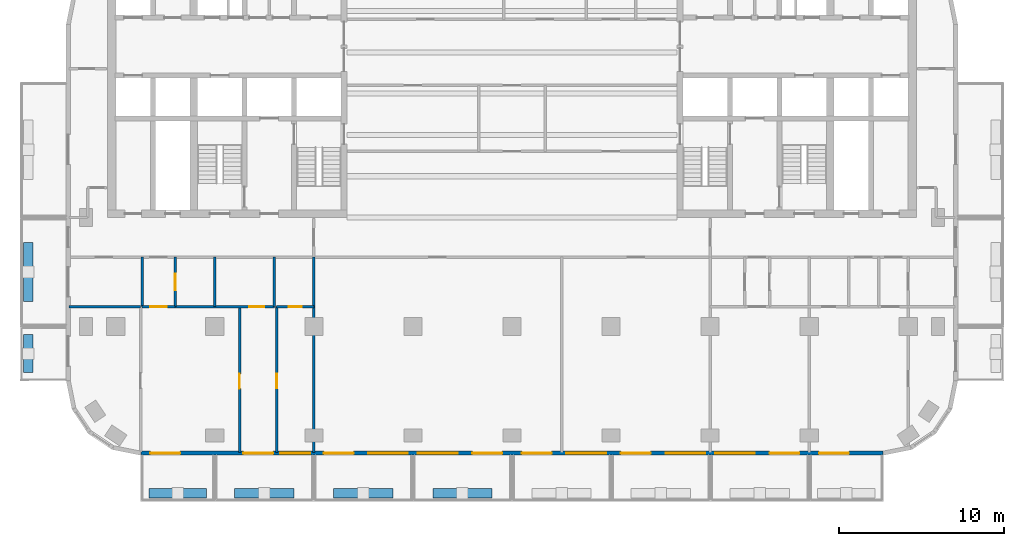
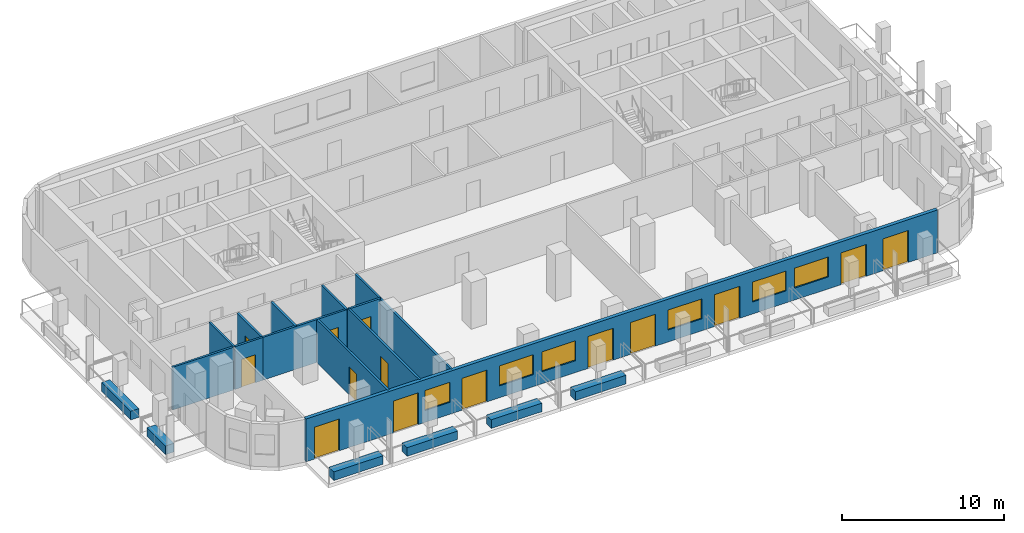
# One storey, part 2 of 11: 18 walls, 14 doors, 6 windows, 20 openings.
"""IFC4 building model written with IfcOpenShell, lengths in metres."""

from ifc_helpers import new_model, si_unit, direction, frame, frame_2d, origin, place, context, subcontext, project, spatial, rectangle, extrude, material, layer, layer_set, type_object, element, fill, save


model = new_model("IFC4")

# Units and contexts
model_context = context("Model", 3, precision=1e-05, world=origin(), true_north=direction((0.0, 1.0)))
body_context = subcontext(model_context, "Body", "Model", "MODEL_VIEW")
ifc_project = project(units=[si_unit("LENGTHUNIT", "METRE"), si_unit("AREAUNIT", "SQUARE_METRE"), si_unit("VOLUMEUNIT", "CUBIC_METRE"), si_unit("PLANEANGLEUNIT", "RADIAN"), si_unit("MASSUNIT", "GRAM", prefix="KILO")], contexts=[model_context])

# Site, building, storey
site_placement = place(None, origin())
site = spatial("IfcSite", under=ifc_project, at=site_placement, CompositionType="ELEMENT")
building_placement = place(site_placement, origin())
building = spatial("IfcBuilding", under=site, at=building_placement, Name="Torana Hotel and Residences", CompositionType="ELEMENT")
storey_placement = place(building_placement, frame((0.0, 0.0, 211.60009765625)))
storey = spatial("IfcBuildingStorey", under=building, at=storey_placement, Name="L55", CompositionType="ELEMENT", Elevation=211.60009765625)

# Wall, openings, doors, windows
ifc_material_1 = material(Name="Black aluminium composite panel", Category="aluminium")
ifc_layer_1 = layer(ifc_material_1, 0.00390625, Name="Cladding", Category="cladding")
ifc_material_2 = material(Name="Ventilated air cavity")
ifc_layer_2 = layer(ifc_material_2, 0.0400390625, Name="Ventilated cavity", Category="cavity")
ifc_material_3 = material(Name="Mineral wool insulation")
ifc_layer_3 = layer(ifc_material_3, 0.090087890625, Name="Insulation", Category="insulation")
ifc_material_4 = material(Name="Steel S280GD", Category="steel")
ifc_layer_4 = layer(ifc_material_4, 0.092041015625, Name="Steel stud frame", Category="structure")
ifc_material_5 = material(Name="Fire rated plasterboard")
ifc_layer_5 = layer(ifc_material_5, 0.011962890625, Name="Inner board", Category="finish")
ifc_layer_6 = layer(ifc_material_5, 0.011962890625, Name="Second board", Category="finish")
ifc_layer_set_1 = layer_set([ifc_layer_1, ifc_layer_2, ifc_layer_3, ifc_layer_4, ifc_layer_5, ifc_layer_6], Name="EW1 EXTERNAL WALL BLACK METAL CLAD 250")
wall_type_1 = type_object("IfcWallType", Name="EW1 EXTERNAL WALL BLACK METAL CLAD 250", PredefinedType="SOLIDWALL", material=ifc_layer_set_1)
wall_1_placement = place(storey_placement, frame((-22.475341796875, -29.27490234375, 0.0), z_axis=(0.0, 0.0, 1.0), x_axis=(1.0, 0.0, 0.0)))
wall_1 = element("IfcWall", 1, at=wall_1_placement, inside=storey, type_object=wall_type_1, Name="External wall L55 e0.14", PredefinedType="SOLIDWALL", context=body_context, shape_type="SweptSolid", body=[
    extrude(rectangle(XDim=44.95068359375, YDim=0.25, at=frame_2d((22.475341796875, 0.0))), origin(), (0.0, 0.0, 1.0), 3.219970703125),
])
opening_1_placement = place(wall_1_placement, frame((0.575439453125, 0.0, 0.0)))
opening_1 = element("IfcOpeningElement", 2, at=opening_1_placement, cuts=wall_1, Name="Opening L55-E01", PredefinedType="OPENING", context=body_context, shape_type="SweptSolid", body=[
    extrude(rectangle(XDim=1.800048828125, YDim=2.39990234375, at=frame_2d((0.89990234375, 1.199951171875))), frame((0.0, 0.135009765625, 0.0), z_axis=(0.0, -1.0, 0.0), x_axis=(1.0, 0.0, 0.0)), (0.0, 0.0, 1.0), 0.27001953125),
])
opening_2_placement = place(wall_1_placement, frame((6.200439453125, 0.0, 0.0)))
opening_2 = element("IfcOpeningElement", 3, at=opening_2_placement, cuts=wall_1, Name="Opening L55-E02", PredefinedType="OPENING", context=body_context, shape_type="SweptSolid", body=[
    extrude(rectangle(XDim=1.800048828125, YDim=2.39990234375, at=frame_2d((0.89990234375, 1.199951171875))), frame((0.0, 0.135009765625, 0.0), z_axis=(0.0, -1.0, 0.0), x_axis=(1.0, 0.0, 0.0)), (0.0, 0.0, 1.0), 0.27001953125),
])
opening_3_placement = place(wall_1_placement, frame((8.450439453125, 0.0, 0.89990234375)))
opening_3 = element("IfcOpeningElement", 4, at=opening_3_placement, cuts=wall_1, Name="Opening W4", PredefinedType="OPENING", context=body_context, shape_type="SweptSolid", body=[
    extrude(rectangle(XDim=1.800048828125, YDim=1.5, at=frame_2d((0.89990234375, 0.75))), frame((0.0, 0.135009765625, 0.0), z_axis=(0.0, -1.0, 0.0), x_axis=(1.0, 0.0, 0.0)), (0.0, 0.0, 1.0), 0.27001953125),
])
opening_4_placement = place(wall_1_placement, frame((11.075439453125, 0.0, 0.0)))
opening_4 = element("IfcOpeningElement", 5, at=opening_4_placement, cuts=wall_1, Name="Opening L55-E03", PredefinedType="OPENING", context=body_context, shape_type="SweptSolid", body=[
    extrude(rectangle(XDim=1.800048828125, YDim=2.39990234375, at=frame_2d((0.89990234375, 1.199951171875))), frame((0.0, 0.135009765625, 0.0), z_axis=(0.0, -1.0, 0.0), x_axis=(1.0, 0.0, 0.0)), (0.0, 0.0, 1.0), 0.27001953125),
])
opening_5_placement = place(wall_1_placement, frame((13.775390625, 0.0, 0.89990234375)))
opening_5 = element("IfcOpeningElement", 6, at=opening_5_placement, cuts=wall_1, Name="Opening W3", PredefinedType="OPENING", context=body_context, shape_type="SweptSolid", body=[
    extrude(rectangle(XDim=2.39990234375, YDim=1.5, at=frame_2d((1.199951171875, 0.75))), frame((0.0, 0.135009765625, 0.0), z_axis=(0.0, -1.0, 0.0), x_axis=(1.0, 0.0, 0.0)), (0.0, 0.0, 1.0), 0.27001953125),
])
opening_6_placement = place(wall_1_placement, frame((16.775390625, 0.0, 0.89990234375)))
opening_6 = element("IfcOpeningElement", 7, at=opening_6_placement, cuts=wall_1, Name="Opening W3", PredefinedType="OPENING", context=body_context, shape_type="SweptSolid", body=[
    extrude(rectangle(XDim=2.39990234375, YDim=1.5, at=frame_2d((1.199951171875, 0.75))), frame((0.0, 0.135009765625, 0.0), z_axis=(0.0, -1.0, 0.0), x_axis=(1.0, 0.0, 0.0)), (0.0, 0.0, 1.0), 0.27001953125),
])
opening_7_placement = place(wall_1_placement, frame((20.075439453125, 0.0, 0.0)))
opening_7 = element("IfcOpeningElement", 8, at=opening_7_placement, cuts=wall_1, Name="Opening L55-E04", PredefinedType="OPENING", context=body_context, shape_type="SweptSolid", body=[
    extrude(rectangle(XDim=1.800048828125, YDim=2.39990234375, at=frame_2d((0.89990234375, 1.199951171875))), frame((0.0, 0.135009765625, 0.0), z_axis=(0.0, -1.0, 0.0), x_axis=(1.0, 0.0, 0.0)), (0.0, 0.0, 1.0), 0.27001953125),
])
opening_8_placement = place(wall_1_placement, frame((23.075439453125, 0.0, 0.0)))
opening_8 = element("IfcOpeningElement", 9, at=opening_8_placement, cuts=wall_1, Name="Opening L55-E05", PredefinedType="OPENING", context=body_context, shape_type="SweptSolid", body=[
    extrude(rectangle(XDim=1.800048828125, YDim=2.39990234375, at=frame_2d((0.89990234375, 1.199951171875))), frame((0.0, 0.135009765625, 0.0), z_axis=(0.0, -1.0, 0.0), x_axis=(1.0, 0.0, 0.0)), (0.0, 0.0, 1.0), 0.27001953125),
])
opening_9_placement = place(wall_1_placement, frame((25.775390625, 0.0, 0.89990234375)))
opening_9 = element("IfcOpeningElement", 10, at=opening_9_placement, cuts=wall_1, Name="Opening W3", PredefinedType="OPENING", context=body_context, shape_type="SweptSolid", body=[
    extrude(rectangle(XDim=2.39990234375, YDim=1.5, at=frame_2d((1.199951171875, 0.75))), frame((0.0, 0.135009765625, 0.0), z_axis=(0.0, -1.0, 0.0), x_axis=(1.0, 0.0, 0.0)), (0.0, 0.0, 1.0), 0.27001953125),
])
opening_10_placement = place(wall_1_placement, frame((29.075439453125, 0.0, 0.0)))
opening_10 = element("IfcOpeningElement", 11, at=opening_10_placement, cuts=wall_1, Name="Opening L55-E06", PredefinedType="OPENING", context=body_context, shape_type="SweptSolid", body=[
    extrude(rectangle(XDim=1.800048828125, YDim=2.39990234375, at=frame_2d((0.89990234375, 1.199951171875))), frame((0.0, 0.135009765625, 0.0), z_axis=(0.0, -1.0, 0.0), x_axis=(1.0, 0.0, 0.0)), (0.0, 0.0, 1.0), 0.27001953125),
])
opening_11_placement = place(wall_1_placement, frame((31.775390625, 0.0, 0.89990234375)))
opening_11 = element("IfcOpeningElement", 12, at=opening_11_placement, cuts=wall_1, Name="Opening W3", PredefinedType="OPENING", context=body_context, shape_type="SweptSolid", body=[
    extrude(rectangle(XDim=2.39990234375, YDim=1.5, at=frame_2d((1.199951171875, 0.75))), frame((0.0, 0.135009765625, 0.0), z_axis=(0.0, -1.0, 0.0), x_axis=(1.0, 0.0, 0.0)), (0.0, 0.0, 1.0), 0.27001953125),
])
opening_12_placement = place(wall_1_placement, frame((34.775390625, 0.0, 0.89990234375)))
opening_12 = element("IfcOpeningElement", 13, at=opening_12_placement, cuts=wall_1, Name="Opening W3", PredefinedType="OPENING", context=body_context, shape_type="SweptSolid", body=[
    extrude(rectangle(XDim=2.39990234375, YDim=1.5, at=frame_2d((1.199951171875, 0.75))), frame((0.0, 0.135009765625, 0.0), z_axis=(0.0, -1.0, 0.0), x_axis=(1.0, 0.0, 0.0)), (0.0, 0.0, 1.0), 0.27001953125),
])
opening_13_placement = place(wall_1_placement, frame((38.075439453125, 0.0, 0.0)))
opening_13 = element("IfcOpeningElement", 14, at=opening_13_placement, cuts=wall_1, Name="Opening L55-E07", PredefinedType="OPENING", context=body_context, shape_type="SweptSolid", body=[
    extrude(rectangle(XDim=1.800048828125, YDim=2.39990234375, at=frame_2d((0.89990234375, 1.199951171875))), frame((0.0, 0.135009765625, 0.0), z_axis=(0.0, -1.0, 0.0), x_axis=(1.0, 0.0, 0.0)), (0.0, 0.0, 1.0), 0.27001953125),
])
opening_14_placement = place(wall_1_placement, frame((41.075439453125, 0.0, 0.0)))
opening_14 = element("IfcOpeningElement", 15, at=opening_14_placement, cuts=wall_1, Name="Opening L55-E08", PredefinedType="OPENING", context=body_context, shape_type="SweptSolid", body=[
    extrude(rectangle(XDim=1.800048828125, YDim=2.39990234375, at=frame_2d((0.89990234375, 1.199951171875))), frame((0.0, 0.135009765625, 0.0), z_axis=(0.0, -1.0, 0.0), x_axis=(1.0, 0.0, 0.0)), (0.0, 0.0, 1.0), 0.27001953125),
])
ifc_material_6 = material(Name="Dark glass in black aluminium frame", Category="aluminium")
door_type_1 = type_object("IfcDoorType", Name="DB1 BALCONY DOOR 1800x2400", OperationType="DOUBLE_DOOR_SINGLE_SWING", PredefinedType="DOOR", material=ifc_material_6)
door_1_placement = place(opening_1_placement, origin())
door_1 = element("IfcDoor", 16, at=door_1_placement, inside=storey, type_object=door_type_1, Name="Balcony door L55", OperationType="DOUBLE_DOOR_SINGLE_SWING", OverallHeight=2.39990234375, OverallWidth=1.800048828125, PredefinedType="DOOR", context=body_context, shape_type="SweptSolid", body=[
    extrude(rectangle(XDim=1.800048828125, YDim=2.39990234375, at=frame_2d((0.89990234375, 1.199951171875))), frame((0.0, 0.02490234375, 0.0), z_axis=(0.0, -1.0, 0.0), x_axis=(1.0, 0.0, 0.0)), (0.0, 0.0, 1.0), 0.050048828125),
])
fill(opening_1, door_1)
door_2_placement = place(opening_2_placement, origin())
door_2 = element("IfcDoor", 17, at=door_2_placement, inside=storey, type_object=door_type_1, Name="Balcony door L55", OperationType="DOUBLE_DOOR_SINGLE_SWING", OverallHeight=2.39990234375, OverallWidth=1.800048828125, PredefinedType="DOOR", context=body_context, shape_type="SweptSolid", body=[
    extrude(rectangle(XDim=1.800048828125, YDim=2.39990234375, at=frame_2d((0.89990234375, 1.199951171875))), frame((0.0, 0.02490234375, 0.0), z_axis=(0.0, -1.0, 0.0), x_axis=(1.0, 0.0, 0.0)), (0.0, 0.0, 1.0), 0.050048828125),
])
fill(opening_2, door_2)
door_3_placement = place(opening_4_placement, origin())
door_3 = element("IfcDoor", 18, at=door_3_placement, inside=storey, type_object=door_type_1, Name="Balcony door L55", OperationType="DOUBLE_DOOR_SINGLE_SWING", OverallHeight=2.39990234375, OverallWidth=1.800048828125, PredefinedType="DOOR", context=body_context, shape_type="SweptSolid", body=[
    extrude(rectangle(XDim=1.800048828125, YDim=2.39990234375, at=frame_2d((0.89990234375, 1.199951171875))), frame((0.0, 0.02490234375, 0.0), z_axis=(0.0, -1.0, 0.0), x_axis=(1.0, 0.0, 0.0)), (0.0, 0.0, 1.0), 0.050048828125),
])
fill(opening_4, door_3)
door_4_placement = place(opening_7_placement, origin())
door_4 = element("IfcDoor", 19, at=door_4_placement, inside=storey, type_object=door_type_1, Name="Balcony door L55", OperationType="DOUBLE_DOOR_SINGLE_SWING", OverallHeight=2.39990234375, OverallWidth=1.800048828125, PredefinedType="DOOR", context=body_context, shape_type="SweptSolid", body=[
    extrude(rectangle(XDim=1.800048828125, YDim=2.39990234375, at=frame_2d((0.89990234375, 1.199951171875))), frame((0.0, 0.02490234375, 0.0), z_axis=(0.0, -1.0, 0.0), x_axis=(1.0, 0.0, 0.0)), (0.0, 0.0, 1.0), 0.050048828125),
])
fill(opening_7, door_4)
door_5_placement = place(opening_8_placement, origin())
door_5 = element("IfcDoor", 20, at=door_5_placement, inside=storey, type_object=door_type_1, Name="Balcony door L55", OperationType="DOUBLE_DOOR_SINGLE_SWING", OverallHeight=2.39990234375, OverallWidth=1.800048828125, PredefinedType="DOOR", context=body_context, shape_type="SweptSolid", body=[
    extrude(rectangle(XDim=1.800048828125, YDim=2.39990234375, at=frame_2d((0.89990234375, 1.199951171875))), frame((0.0, 0.02490234375, 0.0), z_axis=(0.0, -1.0, 0.0), x_axis=(1.0, 0.0, 0.0)), (0.0, 0.0, 1.0), 0.050048828125),
])
fill(opening_8, door_5)
door_6_placement = place(opening_10_placement, origin())
door_6 = element("IfcDoor", 21, at=door_6_placement, inside=storey, type_object=door_type_1, Name="Balcony door L55", OperationType="DOUBLE_DOOR_SINGLE_SWING", OverallHeight=2.39990234375, OverallWidth=1.800048828125, PredefinedType="DOOR", context=body_context, shape_type="SweptSolid", body=[
    extrude(rectangle(XDim=1.800048828125, YDim=2.39990234375, at=frame_2d((0.89990234375, 1.199951171875))), frame((0.0, 0.02490234375, 0.0), z_axis=(0.0, -1.0, 0.0), x_axis=(1.0, 0.0, 0.0)), (0.0, 0.0, 1.0), 0.050048828125),
])
fill(opening_10, door_6)
door_7_placement = place(opening_13_placement, origin())
door_7 = element("IfcDoor", 22, at=door_7_placement, inside=storey, type_object=door_type_1, Name="Balcony door L55", OperationType="DOUBLE_DOOR_SINGLE_SWING", OverallHeight=2.39990234375, OverallWidth=1.800048828125, PredefinedType="DOOR", context=body_context, shape_type="SweptSolid", body=[
    extrude(rectangle(XDim=1.800048828125, YDim=2.39990234375, at=frame_2d((0.89990234375, 1.199951171875))), frame((0.0, 0.02490234375, 0.0), z_axis=(0.0, -1.0, 0.0), x_axis=(1.0, 0.0, 0.0)), (0.0, 0.0, 1.0), 0.050048828125),
])
fill(opening_13, door_7)
door_8_placement = place(opening_14_placement, origin())
door_8 = element("IfcDoor", 23, at=door_8_placement, inside=storey, type_object=door_type_1, Name="Balcony door L55", OperationType="DOUBLE_DOOR_SINGLE_SWING", OverallHeight=2.39990234375, OverallWidth=1.800048828125, PredefinedType="DOOR", context=body_context, shape_type="SweptSolid", body=[
    extrude(rectangle(XDim=1.800048828125, YDim=2.39990234375, at=frame_2d((0.89990234375, 1.199951171875))), frame((0.0, 0.02490234375, 0.0), z_axis=(0.0, -1.0, 0.0), x_axis=(1.0, 0.0, 0.0)), (0.0, 0.0, 1.0), 0.050048828125),
])
fill(opening_14, door_8)
ifc_material_7 = material(Name="Dark glass in black aluminium frame", Category="aluminium")
window_type_1 = type_object("IfcWindowType", Name="W3 RESIDENCE WINDOW 2400x1500", PartitioningType="SINGLE_PANEL", PredefinedType="WINDOW", material=ifc_material_7)
window_1_placement = place(opening_5_placement, origin())
window_1 = element("IfcWindow", 24, at=window_1_placement, inside=storey, type_object=window_type_1, Name="Window L55", OverallHeight=1.5, OverallWidth=2.39990234375, PartitioningType="SINGLE_PANEL", PredefinedType="WINDOW", context=body_context, shape_type="SweptSolid", body=[
    extrude(rectangle(XDim=2.39990234375, YDim=1.5, at=frame_2d((1.199951171875, 0.75))), frame((0.0, 0.030029296875, 0.0), z_axis=(0.0, -1.0, 0.0), x_axis=(1.0, 0.0, 0.0)), (0.0, 0.0, 1.0), 0.06005859375),
])
fill(opening_5, window_1)
window_2_placement = place(opening_6_placement, origin())
window_2 = element("IfcWindow", 25, at=window_2_placement, inside=storey, type_object=window_type_1, Name="Window L55", OverallHeight=1.5, OverallWidth=2.39990234375, PartitioningType="SINGLE_PANEL", PredefinedType="WINDOW", context=body_context, shape_type="SweptSolid", body=[
    extrude(rectangle(XDim=2.39990234375, YDim=1.5, at=frame_2d((1.199951171875, 0.75))), frame((0.0, 0.030029296875, 0.0), z_axis=(0.0, -1.0, 0.0), x_axis=(1.0, 0.0, 0.0)), (0.0, 0.0, 1.0), 0.06005859375),
])
fill(opening_6, window_2)
window_3_placement = place(opening_9_placement, origin())
window_3 = element("IfcWindow", 26, at=window_3_placement, inside=storey, type_object=window_type_1, Name="Window L55", OverallHeight=1.5, OverallWidth=2.39990234375, PartitioningType="SINGLE_PANEL", PredefinedType="WINDOW", context=body_context, shape_type="SweptSolid", body=[
    extrude(rectangle(XDim=2.39990234375, YDim=1.5, at=frame_2d((1.199951171875, 0.75))), frame((0.0, 0.030029296875, 0.0), z_axis=(0.0, -1.0, 0.0), x_axis=(1.0, 0.0, 0.0)), (0.0, 0.0, 1.0), 0.06005859375),
])
fill(opening_9, window_3)
window_4_placement = place(opening_11_placement, origin())
window_4 = element("IfcWindow", 27, at=window_4_placement, inside=storey, type_object=window_type_1, Name="Window L55", OverallHeight=1.5, OverallWidth=2.39990234375, PartitioningType="SINGLE_PANEL", PredefinedType="WINDOW", context=body_context, shape_type="SweptSolid", body=[
    extrude(rectangle(XDim=2.39990234375, YDim=1.5, at=frame_2d((1.199951171875, 0.75))), frame((0.0, 0.030029296875, 0.0), z_axis=(0.0, -1.0, 0.0), x_axis=(1.0, 0.0, 0.0)), (0.0, 0.0, 1.0), 0.06005859375),
])
fill(opening_11, window_4)
window_5_placement = place(opening_12_placement, origin())
window_5 = element("IfcWindow", 28, at=window_5_placement, inside=storey, type_object=window_type_1, Name="Window L55", OverallHeight=1.5, OverallWidth=2.39990234375, PartitioningType="SINGLE_PANEL", PredefinedType="WINDOW", context=body_context, shape_type="SweptSolid", body=[
    extrude(rectangle(XDim=2.39990234375, YDim=1.5, at=frame_2d((1.199951171875, 0.75))), frame((0.0, 0.030029296875, 0.0), z_axis=(0.0, -1.0, 0.0), x_axis=(1.0, 0.0, 0.0)), (0.0, 0.0, 1.0), 0.06005859375),
])
fill(opening_12, window_5)
ifc_material_8 = material(Name="Dark glass in black aluminium frame", Category="aluminium")
window_type_2 = type_object("IfcWindowType", Name="W4 RESIDENCE WINDOW NARROW 1800x1500", PartitioningType="SINGLE_PANEL", PredefinedType="WINDOW", material=ifc_material_8)
window_6_placement = place(opening_3_placement, origin())
window_6 = element("IfcWindow", 29, at=window_6_placement, inside=storey, type_object=window_type_2, Name="Window L55", OverallHeight=1.5, OverallWidth=1.800048828125, PartitioningType="SINGLE_PANEL", PredefinedType="WINDOW", context=body_context, shape_type="SweptSolid", body=[
    extrude(rectangle(XDim=1.800048828125, YDim=1.5, at=frame_2d((0.89990234375, 0.75))), frame((0.0, 0.030029296875, 0.0), z_axis=(0.0, -1.0, 0.0), x_axis=(1.0, 0.0, 0.0)), (0.0, 0.0, 1.0), 0.06005859375),
])
fill(opening_3, window_6)

# Wall, opening, door
ifc_material_9 = material(Name="Gypsum plaster")
ifc_layer_7 = layer(ifc_material_9, 0.014892578125, Name="Plaster", Category="finish")
ifc_material_10 = material(Name="Concrete blockwork", Category="masonry")
ifc_layer_8 = layer(ifc_material_10, 0.1201171875, Name="Blockwork", Category="structure")
ifc_layer_9 = layer(ifc_material_9, 0.014892578125, Name="Plaster", Category="finish")
ifc_layer_set_2 = layer_set([ifc_layer_7, ifc_layer_8, ifc_layer_9], Name="FIRE PARTITION 150 BLOCKWORK")
wall_type_2 = type_object("IfcWallType", Name="FIRE PARTITION 150 BLOCKWORK", PredefinedType="PARTITIONING", material=ifc_layer_set_2)
wall_2_placement = place(storey_placement, frame((-20.39990234375, -20.39990234375, 0.0), z_axis=(0.0, 0.0, 1.0), x_axis=(0.0, 1.0, 0.0)))
wall_2 = element("IfcWall", 30, at=wall_2_placement, inside=storey, type_object=wall_type_2, Name="Partition L55", PredefinedType="PARTITIONING", context=body_context, shape_type="SweptSolid", body=[
    extrude(rectangle(XDim=3.0, YDim=0.14990234375, at=frame_2d((1.5, 0.0))), origin(), (0.0, 0.0, 1.0), 3.219970703125),
])
opening_15_placement = place(wall_2_placement, frame((1.0, 0.0, 0.0)))
opening_15 = element("IfcOpeningElement", 31, at=opening_15_placement, cuts=wall_2, Name="Opening L55-55", PredefinedType="OPENING", context=body_context, shape_type="SweptSolid", body=[
    extrude(rectangle(XDim=1.0, YDim=2.10009765625, at=frame_2d((0.5, 1.050048828125))), frame((0.0, 0.0849609375, 0.0), z_axis=(0.0, -1.0, 0.0), x_axis=(1.0, 0.0, 0.0)), (0.0, 0.0, 1.0), 0.169921875),
])
ifc_material_11 = material(Name="Steel S235", Category="steel")
door_type_2 = type_object("IfcDoorType", Name="ENTRY FIRE DOOR D6 1000x2100", OperationType="SINGLE_SWING_LEFT", PredefinedType="DOOR", material=ifc_material_11)
door_9_placement = place(opening_15_placement, frame((0.5, 0.0, 0.0), z_axis=(0.0, 0.0, 1.0), x_axis=(-1.0, 0.0, 0.0)))
door_9 = element("IfcDoor", 32, at=door_9_placement, inside=storey, type_object=door_type_2, Name="Door L55", OperationType="SINGLE_SWING_LEFT", OverallHeight=2.10009765625, OverallWidth=1.0, PredefinedType="DOOR", context=body_context, shape_type="SweptSolid", body=[
    extrude(rectangle(XDim=1.0, YDim=2.10009765625, at=frame_2d((0.0, 1.050048828125))), frame((0.0, -0.02490234375, 0.0), z_axis=(0.0, 1.0, 0.0), x_axis=(-1.0, 0.0, 0.0)), (0.0, 0.0, 1.0), 0.050048828125),
])
fill(opening_15, door_9)

# Wall
wall_3_placement = place(storey_placement, frame((-22.39990234375, -20.39990234375, 0.0), z_axis=(0.0, 0.0, 1.0), x_axis=(0.0, 1.0, 0.0)))
element("IfcWall", 33, at=wall_3_placement, inside=storey, type_object=wall_type_2, Name="Partition L55", PredefinedType="PARTITIONING", context=body_context, shape_type="SweptSolid", body=[
    extrude(rectangle(XDim=3.0, YDim=0.14990234375, at=frame_2d((1.5, 0.0))), origin(), (0.0, 0.0, 1.0), 3.219970703125),
])

# Wall, opening, door
wall_4_placement = place(storey_placement, frame((-22.39990234375, -20.39990234375, 0.0), z_axis=(0.0, 0.0, 1.0), x_axis=(1.0, 0.0, 0.0)))
wall_4 = element("IfcWall", 34, at=wall_4_placement, inside=storey, type_object=wall_type_2, Name="Partition L55", PredefinedType="PARTITIONING", context=body_context, shape_type="SweptSolid", body=[
    extrude(rectangle(XDim=2.0, YDim=0.14990234375, at=frame_2d((1.0, 0.0))), origin(), (0.0, 0.0, 1.0), 3.219970703125),
])
opening_16_placement = place(wall_4_placement, frame((0.47998046875, 0.0, 0.0)))
opening_16 = element("IfcOpeningElement", 35, at=opening_16_placement, cuts=wall_4, Name="Opening L55-56", PredefinedType="OPENING", context=body_context, shape_type="SweptSolid", body=[
    extrude(rectangle(XDim=1.0, YDim=2.10009765625, at=frame_2d((0.5, 1.050048828125))), frame((0.0, 0.0849609375, 0.0), z_axis=(0.0, -1.0, 0.0), x_axis=(1.0, 0.0, 0.0)), (0.0, 0.0, 1.0), 0.169921875),
])
door_10_placement = place(opening_16_placement, frame((0.5, 0.0, 0.0), z_axis=(0.0, 0.0, 1.0), x_axis=(-1.0, 0.0, 0.0)))
door_10 = element("IfcDoor", 36, at=door_10_placement, inside=storey, type_object=door_type_2, Name="Door L55", OperationType="SINGLE_SWING_LEFT", OverallHeight=2.10009765625, OverallWidth=1.0, PredefinedType="DOOR", context=body_context, shape_type="SweptSolid", body=[
    extrude(rectangle(XDim=1.0, YDim=2.10009765625, at=frame_2d((0.0, 1.050048828125))), frame((0.0, -0.02490234375, 0.0), z_axis=(0.0, 1.0, 0.0), x_axis=(-1.0, 0.0, 0.0)), (0.0, 0.0, 1.0), 0.050048828125),
])
fill(opening_16, door_10)

# Wall
ifc_material_12 = material(Name="Gypsum plasterboard")
ifc_layer_10 = layer(ifc_material_12, 0.012451171875, Name="Plasterboard", Category="finish")
ifc_layer_11 = layer(ifc_material_12, 0.012451171875, Name="Plasterboard", Category="finish")
ifc_layer_12 = layer(ifc_material_4, 0.10009765625, Name="Steel studs with mineral wool", Category="insulation")
ifc_layer_13 = layer(ifc_material_12, 0.012451171875, Name="Plasterboard", Category="finish")
ifc_layer_14 = layer(ifc_material_12, 0.012451171875, Name="Plasterboard", Category="finish")
ifc_layer_set_3 = layer_set([ifc_layer_10, ifc_layer_11, ifc_layer_12, ifc_layer_13, ifc_layer_14], Name="PARTITION 150 PLASTERBOARD")
wall_type_3 = type_object("IfcWallType", Name="PARTITION 150 PLASTERBOARD", PredefinedType="PARTITIONING", material=ifc_layer_set_3)
wall_5_placement = place(storey_placement, frame((-12.0, -29.219970703125, 0.0), z_axis=(0.0, 0.0, 1.0), x_axis=(0.0, 1.0, 0.0)))
element("IfcWall", 37, at=wall_5_placement, inside=storey, type_object=wall_type_3, Name="Partition L55", PredefinedType="PARTITIONING", context=body_context, shape_type="SweptSolid", body=[
    extrude(rectangle(XDim=11.820068359375, YDim=0.14990234375, at=frame_2d((5.91015625, 0.0))), origin(), (0.0, 0.0, 1.0), 3.219970703125),
])

# Wall, opening, door
wall_6_placement = place(storey_placement, frame((-14.25, -29.219970703125, 0.0), z_axis=(0.0, 0.0, 1.0), x_axis=(0.0, 1.0, 0.0)))
wall_6 = element("IfcWall", 38, at=wall_6_placement, inside=storey, type_object=wall_type_3, Name="Partition L55", PredefinedType="PARTITIONING", context=body_context, shape_type="SweptSolid", body=[
    extrude(rectangle(XDim=8.820068359375, YDim=0.14990234375, at=frame_2d((4.41015625, 0.0))), origin(), (0.0, 0.0, 1.0), 3.219970703125),
])
opening_17_placement = place(wall_6_placement, frame((3.8701171875, 0.0, 0.0)))
opening_17 = element("IfcOpeningElement", 39, at=opening_17_placement, cuts=wall_6, Name="Opening L55-59", PredefinedType="OPENING", context=body_context, shape_type="SweptSolid", body=[
    extrude(rectangle(XDim=0.89990234375, YDim=2.10009765625, at=frame_2d((0.449951171875, 1.050048828125))), frame((0.0, 0.0849609375, 0.0), z_axis=(0.0, -1.0, 0.0), x_axis=(1.0, 0.0, 0.0)), (0.0, 0.0, 1.0), 0.169921875),
])
ifc_material_13 = material(Name="Timber door, oiled ash", Category="wood")
door_type_3 = type_object("IfcDoorType", Name="ROOM DOOR D7 900x2100", OperationType="SINGLE_SWING_LEFT", PredefinedType="DOOR", material=ifc_material_13)
door_11_placement = place(opening_17_placement, origin())
door_11 = element("IfcDoor", 40, at=door_11_placement, inside=storey, type_object=door_type_3, Name="Door L55", OperationType="SINGLE_SWING_RIGHT", OverallHeight=2.10009765625, OverallWidth=0.89990234375, PredefinedType="DOOR", context=body_context, shape_type="SweptSolid", body=[
    extrude(rectangle(XDim=0.89990234375, YDim=2.10009765625, at=frame_2d((0.449951171875, 1.050048828125))), frame((0.0, 0.02490234375, 0.0), z_axis=(0.0, -1.0, 0.0), x_axis=(1.0, 0.0, 0.0)), (0.0, 0.0, 1.0), 0.050048828125),
])
fill(opening_17, door_11)

# Wall
wall_7_placement = place(storey_placement, frame((-14.39990234375, -20.39990234375, 0.0), z_axis=(0.0, 0.0, 1.0), x_axis=(0.0, 1.0, 0.0)))
element("IfcWall", 41, at=wall_7_placement, inside=storey, type_object=wall_type_3, Name="Partition L55", PredefinedType="PARTITIONING", context=body_context, shape_type="SweptSolid", body=[
    extrude(rectangle(XDim=3.0, YDim=0.14990234375, at=frame_2d((1.5, 0.0))), origin(), (0.0, 0.0, 1.0), 3.219970703125),
])

# Wall, opening, door
wall_8_placement = place(storey_placement, frame((-16.5, -29.219970703125, 0.0), z_axis=(0.0, 0.0, 1.0), x_axis=(0.0, 1.0, 0.0)))
wall_8 = element("IfcWall", 42, at=wall_8_placement, inside=storey, type_object=wall_type_3, Name="Partition L55", PredefinedType="PARTITIONING", context=body_context, shape_type="SweptSolid", body=[
    extrude(rectangle(XDim=8.820068359375, YDim=0.14990234375, at=frame_2d((4.41015625, 0.0))), origin(), (0.0, 0.0, 1.0), 3.219970703125),
])
opening_18_placement = place(wall_8_placement, frame((3.85009765625, 0.0, 0.0)))
opening_18 = element("IfcOpeningElement", 43, at=opening_18_placement, cuts=wall_8, Name="Opening L55-57", PredefinedType="OPENING", context=body_context, shape_type="SweptSolid", body=[
    extrude(rectangle(XDim=0.89990234375, YDim=2.10009765625, at=frame_2d((0.449951171875, 1.050048828125))), frame((0.0, 0.0849609375, 0.0), z_axis=(0.0, -1.0, 0.0), x_axis=(1.0, 0.0, 0.0)), (0.0, 0.0, 1.0), 0.169921875),
])
door_12_placement = place(opening_18_placement, origin())
door_12 = element("IfcDoor", 44, at=door_12_placement, inside=storey, type_object=door_type_3, Name="Door L55", OperationType="SINGLE_SWING_RIGHT", OverallHeight=2.10009765625, OverallWidth=0.89990234375, PredefinedType="DOOR", context=body_context, shape_type="SweptSolid", body=[
    extrude(rectangle(XDim=0.89990234375, YDim=2.10009765625, at=frame_2d((0.449951171875, 1.050048828125))), frame((0.0, 0.02490234375, 0.0), z_axis=(0.0, -1.0, 0.0), x_axis=(1.0, 0.0, 0.0)), (0.0, 0.0, 1.0), 0.050048828125),
])
fill(opening_18, door_12)

# Walls
wall_9_placement = place(storey_placement, frame((-18.0, -20.39990234375, 0.0), z_axis=(0.0, 0.0, 1.0), x_axis=(0.0, 1.0, 0.0)))
element("IfcWall", 45, at=wall_9_placement, inside=storey, type_object=wall_type_3, Name="Partition L55", PredefinedType="PARTITIONING", context=body_context, shape_type="SweptSolid", body=[
    extrude(rectangle(XDim=3.0, YDim=0.14990234375, at=frame_2d((1.5, 0.0))), origin(), (0.0, 0.0, 1.0), 3.219970703125),
])
wall_10_placement = place(storey_placement, frame((-26.820068359375, -20.39990234375, 0.0), z_axis=(0.0, 0.0, 1.0), x_axis=(1.0, 0.0, 0.0)))
element("IfcWall", 46, at=wall_10_placement, inside=storey, type_object=wall_type_3, Name="Partition L55", PredefinedType="PARTITIONING", context=body_context, shape_type="SweptSolid", body=[
    extrude(rectangle(XDim=4.320068359375, YDim=0.14990234375, at=frame_2d((2.16015625, 0.0))), origin(), (0.0, 0.0, 1.0), 3.219970703125),
])

# Wall, opening, door
wall_11_placement = place(storey_placement, frame((-20.39990234375, -20.39990234375, 0.0), z_axis=(0.0, 0.0, 1.0), x_axis=(1.0, 0.0, 0.0)))
wall_11 = element("IfcWall", 47, at=wall_11_placement, inside=storey, type_object=wall_type_3, Name="Partition L55", PredefinedType="PARTITIONING", context=body_context, shape_type="SweptSolid", body=[
    extrude(rectangle(XDim=6.0, YDim=0.14990234375, at=frame_2d((3.0, 0.0))), origin(), (0.0, 0.0, 1.0), 3.219970703125),
])
opening_19_placement = place(wall_11_placement, frame((4.47998046875, 0.0, 0.0)))
opening_19 = element("IfcOpeningElement", 48, at=opening_19_placement, cuts=wall_11, Name="Opening L55-54", PredefinedType="OPENING", context=body_context, shape_type="SweptSolid", body=[
    extrude(rectangle(XDim=0.89990234375, YDim=2.10009765625, at=frame_2d((0.449951171875, 1.050048828125))), frame((0.0, 0.0849609375, 0.0), z_axis=(0.0, -1.0, 0.0), x_axis=(1.0, 0.0, 0.0)), (0.0, 0.0, 1.0), 0.169921875),
])
door_13_placement = place(opening_19_placement, origin())
door_13 = element("IfcDoor", 49, at=door_13_placement, inside=storey, type_object=door_type_3, Name="Door L55", OperationType="SINGLE_SWING_LEFT", OverallHeight=2.10009765625, OverallWidth=0.89990234375, PredefinedType="DOOR", context=body_context, shape_type="SweptSolid", body=[
    extrude(rectangle(XDim=0.89990234375, YDim=2.10009765625, at=frame_2d((0.449951171875, 1.050048828125))), frame((0.0, 0.02490234375, 0.0), z_axis=(0.0, -1.0, 0.0), x_axis=(1.0, 0.0, 0.0)), (0.0, 0.0, 1.0), 0.050048828125),
])
fill(opening_19, door_13)

wall_12_placement = place(storey_placement, frame((-14.25, -20.39990234375, 0.0), z_axis=(0.0, 0.0, 1.0), x_axis=(1.0, 0.0, 0.0)))
wall_12 = element("IfcWall", 50, at=wall_12_placement, inside=storey, type_object=wall_type_3, Name="Partition L55", PredefinedType="PARTITIONING", context=body_context, shape_type="SweptSolid", body=[
    extrude(rectangle(XDim=2.25, YDim=0.14990234375, at=frame_2d((1.125, 0.0))), origin(), (0.0, 0.0, 1.0), 3.219970703125),
])
opening_20_placement = place(wall_12_placement, frame((0.72998046875, 0.0, 0.0)))
opening_20 = element("IfcOpeningElement", 51, at=opening_20_placement, cuts=wall_12, Name="Opening L55-53", PredefinedType="OPENING", context=body_context, shape_type="SweptSolid", body=[
    extrude(rectangle(XDim=0.800048828125, YDim=2.10009765625, at=frame_2d((0.39990234375, 1.050048828125))), frame((0.0, 0.0849609375, 0.0), z_axis=(0.0, -1.0, 0.0), x_axis=(1.0, 0.0, 0.0)), (0.0, 0.0, 1.0), 0.169921875),
])
ifc_material_14 = material(Name="Timber door, painted", Category="wood")
door_type_4 = type_object("IfcDoorType", Name="BATH DOOR D13 800x2100", OperationType="SINGLE_SWING_LEFT", PredefinedType="DOOR", material=ifc_material_14)
door_14_placement = place(opening_20_placement, origin())
door_14 = element("IfcDoor", 52, at=door_14_placement, inside=storey, type_object=door_type_4, Name="Door L55", OperationType="SINGLE_SWING_LEFT", OverallHeight=2.10009765625, OverallWidth=0.800048828125, PredefinedType="DOOR", context=body_context, shape_type="SweptSolid", body=[
    extrude(rectangle(XDim=0.800048828125, YDim=2.10009765625, at=frame_2d((0.39990234375, 1.050048828125))), frame((0.0, 0.02490234375, 0.0), z_axis=(0.0, -1.0, 0.0), x_axis=(1.0, 0.0, 0.0)), (0.0, 0.0, 1.0), 0.050048828125),
])
fill(opening_20, door_14)

# Walls
ifc_material_15 = material(Name="Concrete C40/50 precast", Category="concrete")
ifc_layer_15 = layer(ifc_material_15, 0.10009765625, Name="Planter shell", Category="structure")
ifc_material_16 = material(Name="Root resistant membrane")
ifc_layer_16 = layer(ifc_material_16, 0.00390625, Name="Waterproofing membrane", Category="membrane")
ifc_material_17 = material(Name="Drainage board with filter fleece")
ifc_layer_17 = layer(ifc_material_17, 0.02001953125, Name="Drainage board", Category="drainage")
ifc_material_18 = material(Name="Growing medium")
ifc_layer_18 = layer(ifc_material_18, 0.47607421875, Name="Planting substrate", Category="soil")
ifc_layer_set_4 = layer_set([ifc_layer_15, ifc_layer_16, ifc_layer_17, ifc_layer_18], Name="PL1 BALCONY PLANTER 600")
wall_type_4 = type_object("IfcWallType", Name="PL1 BALCONY PLANTER 600", PredefinedType="USERDEFINED", material=ifc_layer_set_4)
wall_13_placement = place(storey_placement, frame((-18.5, -31.699951171875, 0.0), z_axis=(0.0, 0.0, 1.0), x_axis=(-1.0, 0.0, 0.0)))
element("IfcWall", 53, at=wall_13_placement, inside=storey, type_object=wall_type_4, Name="Planter 01", ObjectType="PLANTER", PredefinedType="USERDEFINED", context=body_context, shape_type="SweptSolid", body=[
    extrude(rectangle(XDim=3.5, YDim=0.60009765625, at=frame_2d((1.75, 0.0))), origin(), (0.0, 0.0, 1.0), 0.64990234375),
])
for number, where, z_axis, x_axis, name in (
    (54, (-13.199951171875, -31.699951171875, 0.0), (0.0, 0.0, 1.0), (-1.0, 0.0, 0.0), "Planter 02"),
    (55, (-7.199951171875, -31.699951171875, 0.0), (0.0, 0.0, 1.0), (-1.0, 0.0, 0.0), "Planter 03"),
    (56, (-1.199951171875, -31.699951171875, 0.0), (0.0, 0.0, 1.0), (-1.0, 0.0, 0.0), "Planter 04"),
):
    element("IfcWall", number, at=place(storey_placement, frame(where, z_axis=z_axis, x_axis=x_axis)), inside=storey, type_object=wall_type_4, Name=name, ObjectType="PLANTER", PredefinedType="USERDEFINED", context=body_context, shape_type="SweptSolid", body=[
        extrude(rectangle(XDim=3.60009765625, YDim=0.60009765625, at=frame_2d((1.800048828125, 0.0))), origin(), (0.0, 0.0, 1.0), 0.64990234375),
    ])
wall_14_placement = place(storey_placement, frame((-29.300048828125, -24.39990234375, 0.0), z_axis=(0.0, 0.0, 1.0), x_axis=(0.0, 1.0, 0.0)))
element("IfcWall", 57, at=wall_14_placement, inside=storey, type_object=wall_type_4, Name="Planter 09", ObjectType="PLANTER", PredefinedType="USERDEFINED", context=body_context, shape_type="SweptSolid", body=[
    extrude(rectangle(XDim=2.2998046875, YDim=0.60009765625, at=frame_2d((1.14990234375, 0.0))), origin(), (0.0, 0.0, 1.0), 0.64990234375),
])
wall_15_placement = place(storey_placement, frame((-29.300048828125, -20.10009765625, 0.0), z_axis=(0.0, 0.0, 1.0), x_axis=(0.0, 1.0, 0.0)))
element("IfcWall", 58, at=wall_15_placement, inside=storey, type_object=wall_type_4, Name="Planter 10", ObjectType="PLANTER", PredefinedType="USERDEFINED", context=body_context, shape_type="SweptSolid", body=[
    extrude(rectangle(XDim=3.60009765625, YDim=0.60009765625, at=frame_2d((1.800048828125, 0.0))), origin(), (0.0, 0.0, 1.0), 0.64990234375),
])

save(model, "model.ifc")
